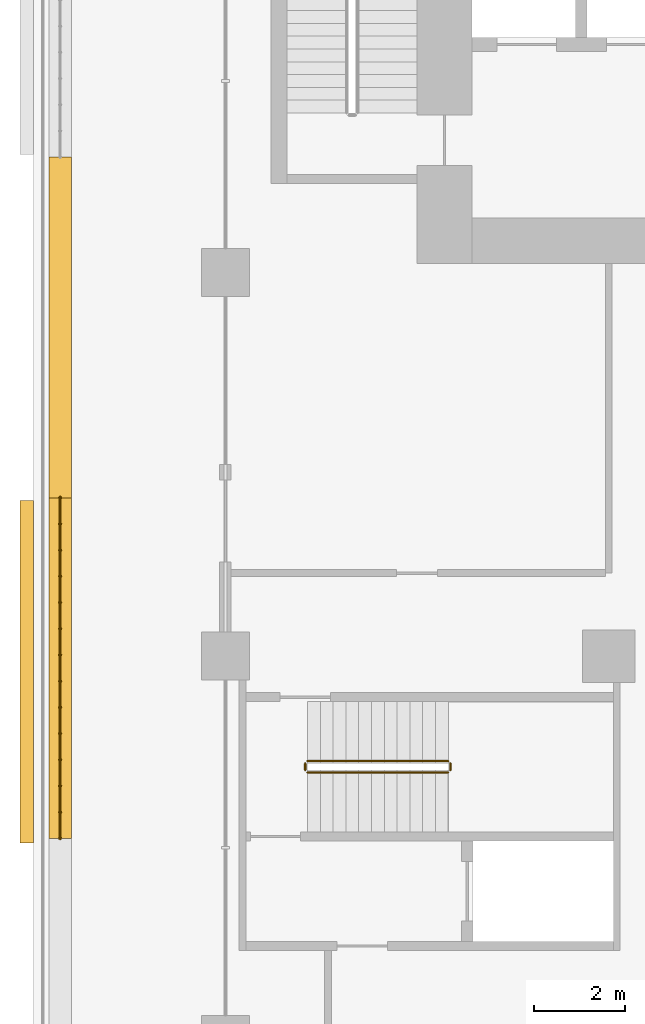
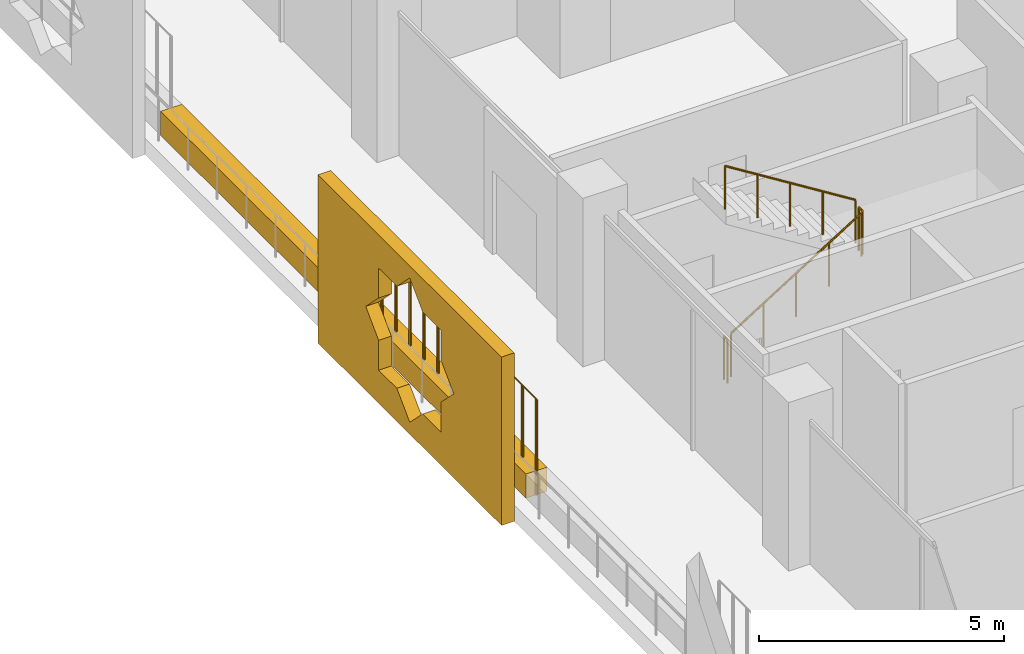
# One storey, part 20 of 27: 5 railings, 3 coverings.
"""IFC4 building model written with IfcOpenShell, lengths in metres."""

from ifc_helpers import new_model, si_unit, direction, frame, origin, origin_2d, place, context, subcontext, project, spatial, polyline, rectangle, circle, outline, extrude, material, material_profile, profile_set, type_object, element, save


model = new_model("IFC4")

# Units and contexts
model_context = context("Model", 3, precision=1e-05, world=origin(), true_north=direction((0.0, 1.0)))
body_context = subcontext(model_context, "Body", "Model", "MODEL_VIEW")
ifc_project = project(units=[si_unit("LENGTHUNIT", "METRE"), si_unit("AREAUNIT", "SQUARE_METRE"), si_unit("VOLUMEUNIT", "CUBIC_METRE"), si_unit("PLANEANGLEUNIT", "RADIAN"), si_unit("MASSUNIT", "GRAM", prefix="KILO")], contexts=[model_context])

# Site, building, storey
site_placement = place(None, origin())
site = spatial("IfcSite", under=ifc_project, at=site_placement, CompositionType="ELEMENT")
building_placement = place(site_placement, origin())
building = spatial("IfcBuilding", under=site, at=building_placement, Name="Kawkab Arch Medical Tower", CompositionType="ELEMENT")
storey_placement = place(building_placement, frame((0.0, 0.0, 103.0)))
storey = spatial("IfcBuildingStorey", under=building, at=storey_placement, Name="L23", CompositionType="ELEMENT", Elevation=103.0)

# Coverings
ifc_material_1 = material(Name="Bronze anodised aluminium mashrabiya panel, eight-point star pattern", Category="aluminium")
ifc_material_profile_1 = material_profile(ifc_material_1, outline(polyline([(-3.75, -2.10009765625), (3.75, -2.10009765625), (3.75, 2.10009765625), (-3.75, 2.10009765625), (-3.75, -2.10009765625)]), holes=[polyline([(1.800048828125, 0.0), (1.272705078125, 0.527099609375), (1.272705078125, 1.272705078125), (0.527099609375, 1.272705078125), (0.0, 1.800048828125), (-0.527099609375, 1.272705078125), (-1.272705078125, 1.272705078125), (-1.272705078125, 0.527099609375), (-1.800048828125, 0.0), (-1.272705078125, -0.527099609375), (-1.272705078125, -1.272705078125), (-0.527099609375, -1.272705078125), (0.0, -1.800048828125), (0.527099609375, -1.272705078125), (1.272705078125, -1.272705078125), (1.272705078125, -0.527099609375), (1.800048828125, 0.0)])]), Name="Mashrabiya panel 7500x4200")
ifc_profile_set_1 = profile_set([ifc_material_profile_1], Name="Bronze anodised aluminium mashrabiya panel, eight-point star pattern")
covering_type_1 = type_object("IfcCoveringType", Name="Mashrabiya panel 7500 x 4200", PredefinedType="USERDEFINED", material=ifc_profile_set_1)
covering_1_placement = place(storey_placement, frame((-4.199951171875, -33.94140625, 1.699951171875), z_axis=(-1.0, 0.0, 0.0), x_axis=(0.0, -1.0, 0.0)))
element("IfcCovering", 1, at=covering_1_placement, inside=storey, type_object=covering_type_1, Name="Mashrabiya panel L23.LOG-01-02.3", ObjectType="SCREEN", PredefinedType="USERDEFINED", context=body_context, shape_type="SweptSolid", body=[
    extrude(outline(polyline([(-3.75, -2.10009765625), (3.75, -2.10009765625), (3.75, 2.10009765625), (-3.75, 2.10009765625), (-3.75, -2.10009765625)]), holes=[polyline([(1.800048828125, 0.0), (1.272705078125, 0.527099609375), (1.272705078125, 1.272705078125), (0.527099609375, 1.272705078125), (0.0, 1.800048828125), (-0.527099609375, 1.272705078125), (-1.272705078125, 1.272705078125), (-1.272705078125, 0.527099609375), (-1.800048828125, 0.0), (-1.272705078125, -0.527099609375), (-1.272705078125, -1.272705078125), (-0.527099609375, -1.272705078125), (0.0, -1.800048828125), (0.527099609375, -1.272705078125), (1.272705078125, -1.272705078125), (1.272705078125, -0.527099609375), (1.800048828125, 0.0)])]), origin(), (0.0, 0.0, 1.0), 0.300048828125),
])
ifc_material_2 = material(Name="Planting soil in a precast trough", Category="concrete")
ifc_material_profile_2 = material_profile(ifc_material_2, rectangle(XDim=0.5, YDim=0.60009765625, at=origin_2d()), Name="Trough 500x600")
ifc_profile_set_2 = profile_set([ifc_material_profile_2], Name="Planting soil in a precast trough")
covering_type_2 = type_object("IfcCoveringType", Name="Planter trough 500 x 600", PredefinedType="USERDEFINED", material=ifc_profile_set_2)
covering_2_placement = place(storey_placement, frame((-3.6201171875, -37.593017578125, 0.300048828125), z_axis=(0.0, 1.0, 0.0), x_axis=(-1.0, 0.0, 0.0)))
element("IfcCovering", 2, at=covering_2_placement, inside=storey, type_object=covering_type_2, Name="Planter L23.LOG-01-02.9", ObjectType="PLANTER", PredefinedType="USERDEFINED", context=body_context, shape_type="SweptSolid", body=[
    extrude(rectangle(XDim=0.5, YDim=0.60009765625, at=origin_2d()), origin(), (0.0, 0.0, 1.0), 7.4619140625),
])
covering_3_placement = place(storey_placement, frame((-3.6201171875, -30.131103515625, 0.300048828125), z_axis=(0.0, 1.0, 0.0), x_axis=(-1.0, 0.0, 0.0)))
element("IfcCovering", 3, at=covering_3_placement, inside=storey, type_object=covering_type_2, Name="Planter L23.LOG-01-02.10", ObjectType="PLANTER", PredefinedType="USERDEFINED", context=body_context, shape_type="SweptSolid", body=[
    extrude(rectangle(XDim=0.5, YDim=0.60009765625, at=origin_2d()), origin(), (0.0, 0.0, 1.0), 7.462158203125),
])

# Railings
ifc_material_3 = material(Name="Bronze anodised aluminium trellis for climbing plants", Category="aluminium")
railing_type_1 = type_object("IfcRailingType", Name="Planting trellis 2400", PredefinedType="USERDEFINED", material=ifc_material_3)
railing_1_placement = place(storey_placement, frame((-3.6201171875, -37.593017578125, 0.0)))
element("IfcRailing", 4, at=railing_1_placement, inside=storey, type_object=railing_type_1, Name="Planting trellis L23.LOG-01-02.9", ObjectType="TRELLIS", PredefinedType="USERDEFINED", context=body_context, shape_type="SweptSolid", body=[
    extrude(circle(Radius=0.01513671875, at=origin_2d()), frame((0.0, 0.0, 2.384765625), z_axis=(0.0, 1.0, 0.0), x_axis=(-1.0, 0.0, 0.0)), (0.0, 0.0, 1.0), 7.4619140625),
    extrude(circle(Radius=0.030029296875, at=origin_2d()), origin(), (0.0, 0.0, 1.0), 2.369873046875),
    extrude(circle(Radius=0.030029296875, at=origin_2d()), frame((0.0, 0.573974609375, 0.0)), (0.0, 0.0, 1.0), 2.369873046875),
    extrude(circle(Radius=0.030029296875, at=origin_2d()), frame((0.0, 1.14794921875, 0.0)), (0.0, 0.0, 1.0), 2.369873046875),
    extrude(circle(Radius=0.030029296875, at=origin_2d()), frame((0.0, 1.721923828125, 0.0)), (0.0, 0.0, 1.0), 2.369873046875),
    extrude(circle(Radius=0.030029296875, at=origin_2d()), frame((0.0, 2.2958984375, 0.0)), (0.0, 0.0, 1.0), 2.369873046875),
    extrude(circle(Radius=0.030029296875, at=origin_2d()), frame((0.0, 2.869873046875, 0.0)), (0.0, 0.0, 1.0), 2.369873046875),
    extrude(circle(Radius=0.030029296875, at=origin_2d()), frame((0.0, 3.44384765625, 0.0)), (0.0, 0.0, 1.0), 2.369873046875),
    extrude(circle(Radius=0.030029296875, at=origin_2d()), frame((0.0, 4.01806640625, 0.0)), (0.0, 0.0, 1.0), 2.369873046875),
    extrude(circle(Radius=0.030029296875, at=origin_2d()), frame((0.0, 4.592041015625, 0.0)), (0.0, 0.0, 1.0), 2.369873046875),
    extrude(circle(Radius=0.030029296875, at=origin_2d()), frame((0.0, 5.166015625, 0.0)), (0.0, 0.0, 1.0), 2.369873046875),
    extrude(circle(Radius=0.030029296875, at=origin_2d()), frame((0.0, 5.739990234375, 0.0)), (0.0, 0.0, 1.0), 2.369873046875),
    extrude(circle(Radius=0.030029296875, at=origin_2d()), frame((0.0, 6.31396484375, 0.0)), (0.0, 0.0, 1.0), 2.369873046875),
    extrude(circle(Radius=0.030029296875, at=origin_2d()), frame((0.0, 6.887939453125, 0.0)), (0.0, 0.0, 1.0), 2.369873046875),
    extrude(circle(Radius=0.030029296875, at=origin_2d()), frame((0.0, 7.4619140625, 0.0)), (0.0, 0.0, 1.0), 2.369873046875),
])
ifc_material_4 = material(Name="Stainless steel", Category="steel")
railing_type_2 = type_object("IfcRailingType", Name="Stair guard 1100", PredefinedType="GUARDRAIL", material=ifc_material_4)
railing_2_placement = place(storey_placement, frame((1.800048828125, -36.14990234375, 0.175048828125)))
element("IfcRailing", 5, at=railing_2_placement, inside=storey, type_object=railing_type_2, Name="L23 ST6 stair guard 1", PredefinedType="GUARDRAIL", context=body_context, shape_type="SweptSolid", body=[
    extrude(circle(Radius=0.02392578125, at=origin_2d()), frame((0.0, 0.0, 1.076171875), z_axis=(0.847979421464, 0.0, 0.530029150871), x_axis=(0.0, 1.0, 0.0)), (0.0, 0.0, 1.0), 3.632080078125),
    extrude(circle(Radius=0.02099609375, at=origin_2d()), origin(), (0.0, 0.0, 1.0), 1.052001953125),
    extrude(circle(Radius=0.02099609375, at=origin_2d()), frame((0.77001953125, 0.0, 0.481201171875)), (0.0, 0.0, 1.0), 1.052001953125),
    extrude(circle(Radius=0.02099609375, at=origin_2d()), frame((1.5400390625, 0.0, 0.96240234375)), (0.0, 0.0, 1.0), 1.052001953125),
    extrude(circle(Radius=0.02099609375, at=origin_2d()), frame((2.309814453125, 0.0, 1.44384765625)), (0.0, 0.0, 1.0), 1.052001953125),
    extrude(circle(Radius=0.02099609375, at=origin_2d()), frame((3.079833984375, 0.0, 1.925048828125)), (0.0, 0.0, 1.0), 1.052001953125),
])
railing_3_placement = place(storey_placement, frame((4.929931640625, -36.10009765625, 2.10009765625)))
element("IfcRailing", 6, at=railing_3_placement, inside=storey, type_object=railing_type_2, Name="L23 ST6 stair guard 2", PredefinedType="GUARDRAIL", context=body_context, shape_type="SweptSolid", body=[
    extrude(circle(Radius=0.02392578125, at=origin_2d()), frame((0.0, 0.0, 1.076171875), z_axis=(0.0, 1.0, 0.0), x_axis=(-1.0, 0.0, 0.0)), (0.0, 0.0, 1.0), 0.150146484375),
    extrude(circle(Radius=0.02099609375, at=origin_2d()), origin(), (0.0, 0.0, 1.0), 1.052001953125),
    extrude(circle(Radius=0.02099609375, at=origin_2d()), frame((0.0, 0.150146484375, 0.0)), (0.0, 0.0, 1.0), 1.052001953125),
])
railing_4_placement = place(storey_placement, frame((4.8798828125, -35.89990234375, 2.27490234375)))
element("IfcRailing", 7, at=railing_4_placement, inside=storey, type_object=railing_type_2, Name="L23 ST6 stair guard 3", PredefinedType="GUARDRAIL", context=body_context, shape_type="SweptSolid", body=[
    extrude(circle(Radius=0.02392578125, at=origin_2d()), frame((0.0, 0.0, 1.076171875), z_axis=(-0.847979421464, 0.0, 0.530029150871), x_axis=(0.0, -1.0, 0.0)), (0.0, 0.0, 1.0), 3.632080078125),
    extrude(circle(Radius=0.02099609375, at=origin_2d()), origin(), (0.0, 0.0, 1.0), 1.052001953125),
    extrude(circle(Radius=0.02099609375, at=origin_2d()), frame((-0.77001953125, 0.0, 0.481201171875)), (0.0, 0.0, 1.0), 1.052001953125),
    extrude(circle(Radius=0.02099609375, at=origin_2d()), frame((-1.5400390625, 0.0, 0.96240234375)), (0.0, 0.0, 1.0), 1.052001953125),
    extrude(circle(Radius=0.02099609375, at=origin_2d()), frame((-2.309814453125, 0.0, 1.44384765625)), (0.0, 0.0, 1.0), 1.052001953125),
    extrude(circle(Radius=0.02099609375, at=origin_2d()), frame((-3.079833984375, 0.0, 1.925048828125)), (0.0, 0.0, 1.0), 1.052001953125),
])
railing_5_placement = place(storey_placement, frame((1.75, -36.10009765625, 0.0)))
element("IfcRailing", 8, at=railing_5_placement, inside=storey, type_object=railing_type_2, Name="L23 ST6 stair guard 4", PredefinedType="GUARDRAIL", context=body_context, shape_type="SweptSolid", body=[
    extrude(circle(Radius=0.02392578125, at=origin_2d()), frame((0.0, 0.0, 1.076171875), z_axis=(0.0, 1.0, 0.0), x_axis=(-1.0, 0.0, 0.0)), (0.0, 0.0, 1.0), 0.150146484375),
    extrude(circle(Radius=0.02099609375, at=origin_2d()), origin(), (0.0, 0.0, 1.0), 1.052001953125),
    extrude(circle(Radius=0.02099609375, at=origin_2d()), frame((0.0, 0.150146484375, 0.0)), (0.0, 0.0, 1.0), 1.052001953125),
])

save(model, "model.ifc")
